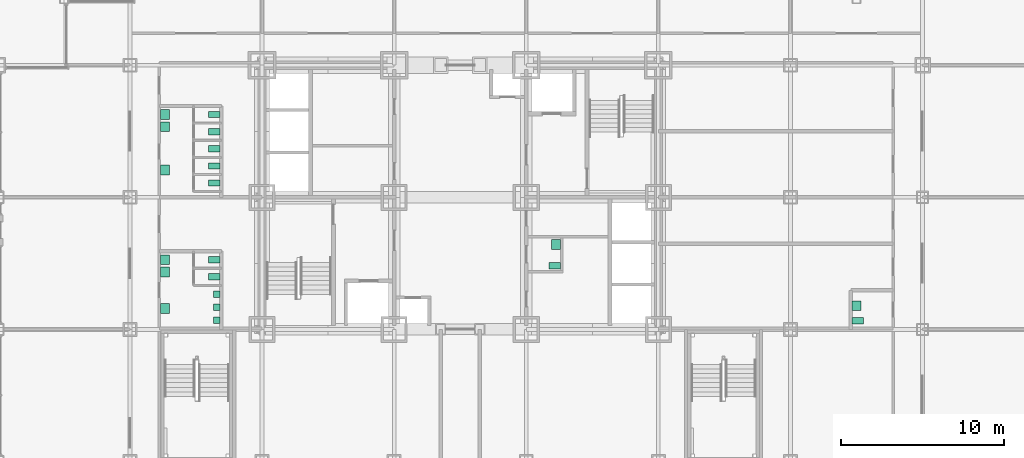
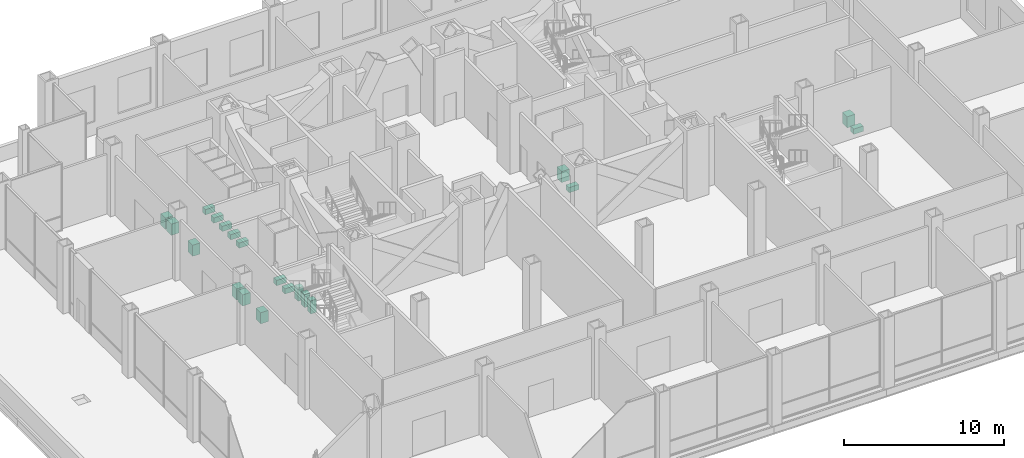
# One storey, part 26 of 26: 20 sanitary terminals.
"""IFC4 building model written with IfcOpenShell, lengths in metres."""

import ifcopenshell
import ifcopenshell.guid

model = None  # the IFC model being written
_history = None  # IfcOwnerHistory: only IFC2X3 demands one
_inside = {}  # id of a spatial element -> (the spatial element, [elements in it])
_under = {}  # id of a project, library or spatial element -> (it, [spatial elements below it])
_declared = {}  # id of a project -> (the project, [libraries it declares])
_typed = {}  # id of a type object -> (the type object, [elements of that type])
_made_of = {}  # id of a material, layer set ... -> (it, [elements and type objects made of it])


def new_model(schema):
    """Start an empty IFC model of exactly this schema.

    Asked for "IFC4X3", IfcOpenShell would pick the latest addendum, in which some entities
    have other attributes; the version numbers below select the first issue.
    IFC2X3 requires an IfcOwnerHistory on every rooted entity: one is made here for all.
    """
    global model, _history
    if schema == "IFC4X3":
        model = ifcopenshell.file(schema_version=(4, 3, 0, 0))
    else:
        model = ifcopenshell.file(schema=schema)
    _inside.clear()
    _under.clear()
    _declared.clear()
    _typed.clear()
    _made_of.clear()
    _history = None
    if model.schema == "IFC2X3":
        org = make("IfcOrganization", Name="unknown")
        user = make(
            "IfcPersonAndOrganization",
            ThePerson=make("IfcPerson", FamilyName="unknown"),
            TheOrganization=org,
        )
        app = make(
            "IfcApplication",
            ApplicationDeveloper=org,
            Version="unknown",
            ApplicationFullName="unknown",
            ApplicationIdentifier="unknown",
        )
        _history = make(
            "IfcOwnerHistory",
            OwningUser=user,
            OwningApplication=app,
            ChangeAction="ADDED",
            CreationDate=0,
        )
    return model


def make(cls, **values):
    """One entity of the class cls with the attributes given. An attribute that is None is left unset."""
    return model.create_entity(
        cls, **{name: value for name, value in values.items() if value is not None}
    )


def rooted(cls, **values):
    """An entity with a GlobalId (a new one), such as an element, a storey or a relation."""
    return make(cls, GlobalId=ifcopenshell.guid.new(), OwnerHistory=_history, **values)


def si_unit(unit_type, name, prefix=None):
    """IfcSIUnit, for example si_unit("LENGTHUNIT", "METRE", prefix="MILLI")."""
    return make("IfcSIUnit", UnitType=unit_type, Prefix=prefix, Name=name)


def assignment(units):
    """IfcUnitAssignment: the units of a project."""
    return None if units is None else make("IfcUnitAssignment", Units=units)


def point(xyz):
    """IfcCartesianPoint."""
    return None if xyz is None else make("IfcCartesianPoint", Coordinates=xyz)


def direction(xyz):
    """IfcDirection."""
    return None if xyz is None else make("IfcDirection", DirectionRatios=xyz)


def frame(location, z_axis=None, x_axis=None):
    """IfcAxis2Placement3D, a coordinate frame: its origin and axes. An axis left out is left unset."""
    return make(
        "IfcAxis2Placement3D",
        Location=point(location),
        Axis=direction(z_axis),
        RefDirection=direction(x_axis),
    )


def frame_2d(location, x_axis=None):
    """IfcAxis2Placement2D, a coordinate frame in the plane: its origin and x axis."""
    return make(
        "IfcAxis2Placement2D", Location=point(location), RefDirection=direction(x_axis)
    )


def origin():
    """The frame at (0, 0, 0) with its axes left unset."""
    return frame((0.0, 0.0, 0.0))


def origin_2d():
    """The frame at (0, 0) in the plane with its x axis left unset."""
    return frame_2d((0.0, 0.0))


def place(relative_to, where):
    """IfcLocalPlacement: puts the frame where relative to a parent placement (None: the world)."""
    return make(
        "IfcLocalPlacement", PlacementRelTo=relative_to, RelativePlacement=where
    )


def context(
    kind, dimensions, precision=None, world=None, true_north=None, identifier=None
):
    """IfcGeometricRepresentationContext, for example the 3D "Model" context."""
    return make(
        "IfcGeometricRepresentationContext",
        ContextIdentifier=identifier,
        ContextType=kind,
        CoordinateSpaceDimension=dimensions,
        Precision=precision,
        WorldCoordinateSystem=world,
        TrueNorth=true_north,
    )


def subcontext(parent, identifier, kind, view, scale=None):
    """IfcGeometricRepresentationSubContext, for example "Body" below "Model"."""
    return make(
        "IfcGeometricRepresentationSubContext",
        ContextIdentifier=identifier,
        ContextType=kind,
        ParentContext=parent,
        TargetScale=scale,
        TargetView=view,
    )


def project(units=None, contexts=None):
    """IfcProject with its units and contexts."""
    return rooted(
        "IfcProject",
        Name="project",
        RepresentationContexts=contexts,
        UnitsInContext=assignment(units),
    )


def spatial(cls, under=None, at=None, **own):
    """A site, building, storey or space (cls), placed at a placement, below another one or the project."""
    s = rooted(cls, ObjectPlacement=at, **own)
    if under is not None:
        _under.setdefault(under.id(), (under, []))[1].append(s)
    return s


def profile(cls, at=None, kind="AREA", **sizes):
    """A parametric profile (cls). Its sizes go by their IFC names, for example OverallWidth=200.0."""
    return make(cls, ProfileType=kind, Position=at, **sizes)


def rectangle(**sizes):
    """IfcRectangleProfileDef."""
    return profile("IfcRectangleProfileDef", **sizes)


def extrude(swept, where, along, depth):
    """IfcExtrudedAreaSolid: the profile swept, set in the frame where, extruded along a direction by depth."""
    return make(
        "IfcExtrudedAreaSolid",
        SweptArea=swept,
        Position=where,
        ExtrudedDirection=direction(along),
        Depth=depth,
    )


def shape(context_of_items, identifier, shape_type, items):
    """IfcShapeRepresentation: the items that make up one representation, for example the "Body"."""
    return make(
        "IfcShapeRepresentation",
        ContextOfItems=context_of_items,
        RepresentationIdentifier=identifier,
        RepresentationType=shape_type,
        Items=items,
    )


def material(Name=None, Category=None):
    """IfcMaterial."""
    return make("IfcMaterial", Name=Name, Category=Category)


def made_of(thing, what):
    """Note that an element or type object is made of a material, layer set ...; save() writes the relation."""
    if what is not None:
        _made_of.setdefault(what.id(), (what, []))[1].append(thing)
    return thing


def element(
    cls,
    number,
    at=None,
    inside=None,
    cuts=None,
    type_object=None,
    material=None,
    context=None,
    identifier="Body",
    shape_type=None,
    held_by="IfcProductDefinitionShape",
    body=None,
    shapes=None,
    **own,
):
    """One element of the class cls, such as IfcWall. Its Tag is "e" and its number.

    at: its placement. inside: the storey or other place that contains it. cuts: it is an
    opening in that element (IfcRelVoidsElement). A single representation is given by context,
    identifier, shape_type and body (its items); several are given by shapes. held_by: the class
    of the entity that holds the representations. save() writes the other relations.
    """
    e = rooted(cls, Tag="e%d" % number, ObjectPlacement=at, **own)
    if body is not None:
        shapes = [shape(context, identifier, shape_type, body)]
    if shapes is not None:
        e.Representation = make(held_by, Representations=shapes)
    if inside is not None:
        _inside.setdefault(inside.id(), (inside, []))[1].append(e)
    if cuts is not None:
        rooted(
            "IfcRelVoidsElement", RelatingBuildingElement=cuts, RelatedOpeningElement=e
        )
    if type_object is not None:
        _typed.setdefault(type_object.id(), (type_object, []))[1].append(e)
    return made_of(e, material)


def aggregate(whole, parts):
    """IfcRelAggregates: a whole, such as a stair, and the parts it consists of."""
    return rooted("IfcRelAggregates", RelatingObject=whole, RelatedObjects=parts)


def save(model, path):
    """Write the relations noted so far, then the file.

    IfcRelAggregates (storeys below a building ...), IfcRelContainedInSpatialStructure (elements
    in a storey), IfcRelDefinesByType, IfcRelAssociatesMaterial and IfcRelDeclares: one each for
    every whole, place, type object, material and project.
    """
    for whole, parts in _under.values():
        aggregate(whole, parts)
    for where, things in _inside.values():
        rooted(
            "IfcRelContainedInSpatialStructure",
            RelatedElements=things,
            RelatingStructure=where,
        )
    for kind, things in _typed.values():
        rooted("IfcRelDefinesByType", RelatedObjects=things, RelatingType=kind)
    for what, things in _made_of.values():
        rooted("IfcRelAssociatesMaterial", RelatedObjects=things, RelatingMaterial=what)
    for by, libraries in _declared.values():
        rooted("IfcRelDeclares", RelatingContext=by, RelatedDefinitions=libraries)
    model.write(path)


model = new_model("IFC4")

# Units and contexts
model_context = context("Model", 3, precision=1e-05, world=origin(), true_north=direction((0.0, 1.0)))
body_context = subcontext(model_context, "Body", "Model", "MODEL_VIEW")
ifc_project = project(units=[si_unit("LENGTHUNIT", "METRE"), si_unit("AREAUNIT", "SQUARE_METRE"), si_unit("VOLUMEUNIT", "CUBIC_METRE"), si_unit("PLANEANGLEUNIT", "RADIAN"), si_unit("MASSUNIT", "GRAM", prefix="KILO")], contexts=[model_context])

# Site, building, storey
site_placement = place(None, origin())
site = spatial("IfcSite", under=ifc_project, at=site_placement, CompositionType="ELEMENT")
building_placement = place(site_placement, origin())
building = spatial("IfcBuilding", under=site, at=building_placement, Name="Kopane Lantern Tower", CompositionType="ELEMENT")
storey_placement = place(building_placement, frame((0.0, 0.0, 16.800048828125)))
storey = spatial("IfcBuildingStorey", under=building, at=storey_placement, Name="L03", CompositionType="ELEMENT", Elevation=16.800048828125)

# Sanitary terminals
ifc_material = material(Name="Vitreous china")
for number, where, z_axis, x_axis, name in (
    (1, (13.27490234375, 27.52490234375, 0.0), (0.0, 0.0, 1.0), (1.0, 0.0, 0.0), "WC pan L03"),
    (2, (13.27490234375, 28.574951171875, 0.0), (0.0, 0.0, 1.0), (1.0, 0.0, 0.0), "WC pan L03"),
):
    element("IfcSanitaryTerminal", number, at=place(storey_placement, frame(where, z_axis=z_axis, x_axis=x_axis)), inside=storey, material=ifc_material, Name=name, PredefinedType="TOILETPAN", context=body_context, shape_type="SweptSolid", body=[
        extrude(rectangle(XDim=0.699951171875, YDim=0.3798828125, at=origin_2d()), origin(), (0.0, 0.0, 1.0), 0.39990234375),
    ])
for number, where, z_axis, x_axis, name in (
    (3, (13.425048828125, 26.449951171875, 0.0), (0.0, 0.0, 1.0), (1.0, 0.0, 0.0), "Urinal L03"),
    (4, (13.425048828125, 25.64990234375, 0.0), (0.0, 0.0, 1.0), (1.0, 0.0, 0.0), "Urinal L03"),
    (5, (13.425048828125, 24.85009765625, 0.0), (0.0, 0.0, 1.0), (1.0, 0.0, 0.0), "Urinal L03"),
):
    element("IfcSanitaryTerminal", number, at=place(storey_placement, frame(where, z_axis=z_axis, x_axis=x_axis)), inside=storey, material=ifc_material, Name=name, PredefinedType="URINAL", context=body_context, shape_type="SweptSolid", body=[
        extrude(rectangle(XDim=0.39990234375, YDim=0.39990234375, at=origin_2d()), origin(), (0.0, 0.0, 1.0), 1.0),
    ])
for number, where, z_axis, x_axis, name in (
    (6, (10.25, 28.574951171875, 0.0), (0.0, 0.0, 1.0), (1.0, 0.0, 0.0), "Wash basin L03"),
    (7, (10.25, 27.824951171875, 0.0), (0.0, 0.0, 1.0), (1.0, 0.0, 0.0), "Wash basin L03"),
    (8, (10.25, 25.574951171875, 0.0), (0.0, 0.0, 1.0), (1.0, 0.0, 0.0), "Wash basin L03"),
):
    element("IfcSanitaryTerminal", number, at=place(storey_placement, frame(where, z_axis=z_axis, x_axis=x_axis)), inside=storey, material=ifc_material, Name=name, PredefinedType="WASHHANDBASIN", context=body_context, shape_type="SweptSolid", body=[
        extrude(rectangle(XDim=0.550048828125, YDim=0.60009765625, at=origin_2d()), origin(), (0.0, 0.0, 1.0), 0.85009765625),
    ])
for number, where, z_axis, x_axis, name in (
    (9, (13.27490234375, 33.27490234375, 0.0), (0.0, 0.0, 1.0), (1.0, 0.0, 0.0), "WC pan L03"),
    (10, (13.27490234375, 34.324951171875, 0.0), (0.0, 0.0, 1.0), (1.0, 0.0, 0.0), "WC pan L03"),
    (11, (13.27490234375, 35.375, 0.0), (0.0, 0.0, 1.0), (1.0, 0.0, 0.0), "WC pan L03"),
    (12, (13.27490234375, 36.425048828125, 0.0), (0.0, 0.0, 1.0), (1.0, 0.0, 0.0), "WC pan L03"),
    (13, (13.27490234375, 37.47509765625, 0.0), (0.0, 0.0, 1.0), (1.0, 0.0, 0.0), "WC pan L03"),
):
    element("IfcSanitaryTerminal", number, at=place(storey_placement, frame(where, z_axis=z_axis, x_axis=x_axis)), inside=storey, material=ifc_material, Name=name, PredefinedType="TOILETPAN", context=body_context, shape_type="SweptSolid", body=[
        extrude(rectangle(XDim=0.699951171875, YDim=0.3798828125, at=origin_2d()), origin(), (0.0, 0.0, 1.0), 0.39990234375),
    ])
for number, where, z_axis, x_axis, name in (
    (14, (10.25, 37.47509765625, 0.0), (0.0, 0.0, 1.0), (1.0, 0.0, 0.0), "Wash basin L03"),
    (15, (10.25, 36.72509765625, 0.0), (0.0, 0.0, 1.0), (1.0, 0.0, 0.0), "Wash basin L03"),
    (16, (10.25, 34.074951171875, 0.0), (0.0, 0.0, 1.0), (1.0, 0.0, 0.0), "Wash basin L03"),
):
    element("IfcSanitaryTerminal", number, at=place(storey_placement, frame(where, z_axis=z_axis, x_axis=x_axis)), inside=storey, material=ifc_material, Name=name, PredefinedType="WASHHANDBASIN", context=body_context, shape_type="SweptSolid", body=[
        extrude(rectangle(XDim=0.550048828125, YDim=0.60009765625, at=origin_2d()), origin(), (0.0, 0.0, 1.0), 0.85009765625),
    ])
sanitary_terminal_1_placement = place(storey_placement, frame((52.72509765625, 24.824951171875, 0.0), z_axis=(0.0, 0.0, 1.0), x_axis=(1.0, 0.0, 0.0)))
element("IfcSanitaryTerminal", 17, at=sanitary_terminal_1_placement, inside=storey, material=ifc_material, Name="WC pan L03", PredefinedType="TOILETPAN", context=body_context, shape_type="SweptSolid", body=[
    extrude(rectangle(XDim=0.699951171875, YDim=0.3798828125, at=origin_2d()), origin(), (0.0, 0.0, 1.0), 0.39990234375),
])
sanitary_terminal_2_placement = place(storey_placement, frame((52.64990234375, 25.75, 0.0), z_axis=(0.0, 0.0, 1.0), x_axis=(1.0, 0.0, 0.0)))
element("IfcSanitaryTerminal", 18, at=sanitary_terminal_2_placement, inside=storey, material=ifc_material, Name="Wash basin L03", PredefinedType="WASHHANDBASIN", context=body_context, shape_type="SweptSolid", body=[
    extrude(rectangle(XDim=0.550048828125, YDim=0.60009765625, at=origin_2d()), origin(), (0.0, 0.0, 1.0), 0.85009765625),
])
sanitary_terminal_3_placement = place(storey_placement, frame((34.14990234375, 28.199951171875, 0.0), z_axis=(0.0, 0.0, 1.0), x_axis=(1.0, 0.0, 0.0)))
element("IfcSanitaryTerminal", 19, at=sanitary_terminal_3_placement, inside=storey, material=ifc_material, Name="WC pan L03", PredefinedType="TOILETPAN", context=body_context, shape_type="SweptSolid", body=[
    extrude(rectangle(XDim=0.699951171875, YDim=0.3798828125, at=origin_2d()), origin(), (0.0, 0.0, 1.0), 0.39990234375),
])
sanitary_terminal_4_placement = place(storey_placement, frame((34.22509765625, 29.5, 0.0), z_axis=(0.0, 0.0, 1.0), x_axis=(1.0, 0.0, 0.0)))
element("IfcSanitaryTerminal", 20, at=sanitary_terminal_4_placement, inside=storey, material=ifc_material, Name="Wash basin L03", PredefinedType="WASHHANDBASIN", context=body_context, shape_type="SweptSolid", body=[
    extrude(rectangle(XDim=0.550048828125, YDim=0.60009765625, at=origin_2d()), origin(), (0.0, 0.0, 1.0), 0.85009765625),
])

save(model, "model.ifc")
